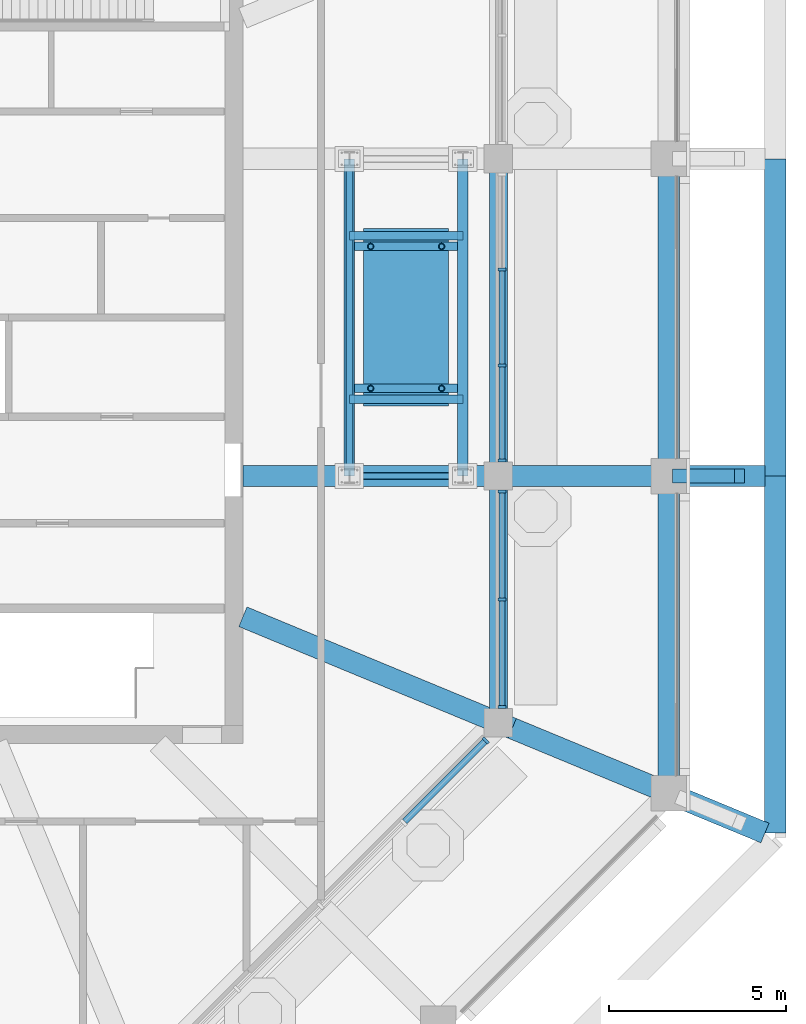
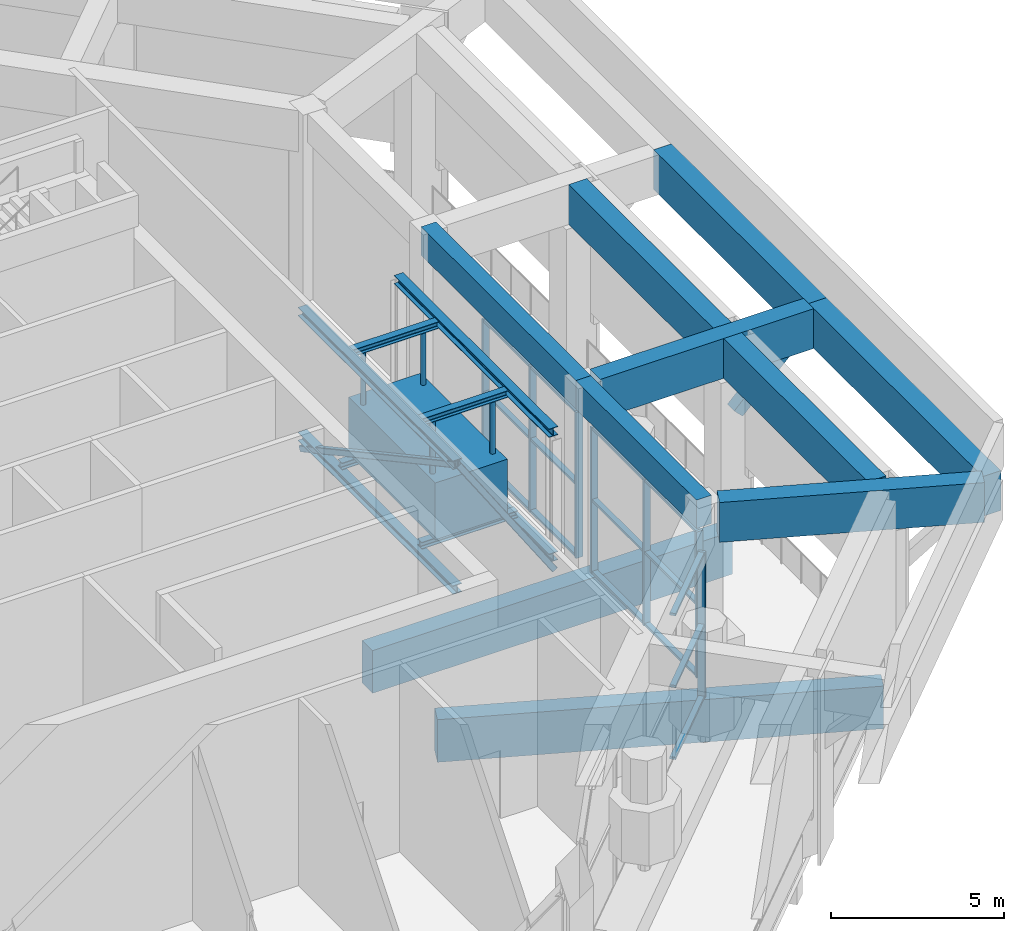
# One storey, part 8 of 29: 30 members, 18 beams, 3 elements without a shape of their own.
"""IFC4 building model written with IfcOpenShell, lengths in metres."""

from ifc_helpers import new_model, si_unit, direction, frame, origin, origin_2d, place, context, subcontext, project, spatial, rectangle, hollow_rectangle, hollow_circle, i_section, extrude, material, material_profile, profile_set, type_object, element, aggregate, save


model = new_model("IFC4")

# Units and contexts
model_context = context("Model", 3, precision=1e-05, world=origin(), true_north=direction((0.0, 1.0)))
body_context = subcontext(model_context, "Body", "Model", "MODEL_VIEW")
ifc_project = project(units=[si_unit("LENGTHUNIT", "METRE"), si_unit("AREAUNIT", "SQUARE_METRE"), si_unit("VOLUMEUNIT", "CUBIC_METRE"), si_unit("PLANEANGLEUNIT", "RADIAN"), si_unit("MASSUNIT", "GRAM", prefix="KILO")], contexts=[model_context])

# Site, building, storey
site_placement = place(None, origin())
site = spatial("IfcSite", under=ifc_project, at=site_placement, CompositionType="ELEMENT")
building_placement = place(site_placement, origin())
building = spatial("IfcBuilding", under=site, at=building_placement, Name="Msitu Wima Residences", CompositionType="ELEMENT")
storey_placement = place(building_placement, frame((0.0, 0.0, 320.10009765625)))
storey = spatial("IfcBuildingStorey", under=building, at=storey_placement, Name="L74", CompositionType="ELEMENT", Elevation=320.10009765625)

# Beams
ifc_material_1 = material(Name="Concrete C60/75", Category="concrete")
ifc_material_profile_1 = material_profile(ifc_material_1, rectangle(XDim=0.60009765625, YDim=1.39990234375, at=origin_2d()), Name="RC 600x1400")
ifc_profile_set_1 = profile_set([ifc_material_profile_1], Name="Concrete C60/75")
beam_type_1 = type_object("IfcBeamType", Name="Canopy cantilever beam CT600x1400", PredefinedType="BEAM", material=ifc_profile_set_1)
beam_1_placement = place(storey_placement, frame((21.989013671875, -11.578857421875, 5.89990234375), z_axis=(0.923884437241, -0.382671591087, 0.0), x_axis=(0.382671591087, 0.923884437241, 0.0)))
element("IfcBeam", 1, at=beam_1_placement, inside=storey, type_object=beam_type_1, Name="Canopy cantilever beam C-E0", PredefinedType="BEAM", context=body_context, shape_type="SweptSolid", body=[
    extrude(rectangle(XDim=0.60009765625, YDim=1.39990234375, at=origin_2d()), origin(), (0.0, 0.0, 1.0), 7.708740234375),
])
beam_2_placement = place(storey_placement, frame((21.988037109375, -4.46875, 5.89990234375), z_axis=(1.0, 0.0, 0.0), x_axis=(0.0, 1.0, 0.0)))
element("IfcBeam", 2, at=beam_2_placement, inside=storey, type_object=beam_type_1, Name="Canopy cantilever beam C-E1", PredefinedType="BEAM", context=body_context, shape_type="SweptSolid", body=[
    extrude(rectangle(XDim=0.60009765625, YDim=1.39990234375, at=origin_2d()), origin(), (0.0, 0.0, 1.0), 7.1240234375),
])

# Member
ifc_material_profile_2 = material_profile(ifc_material_1, rectangle(XDim=0.39990234375, YDim=0.39990234375, at=origin_2d()), Name="RC 400x400")
ifc_profile_set_2 = profile_set([ifc_material_profile_2], Name="Concrete C60/75")
member_type_1 = type_object("IfcMemberType", Name="Canopy knee strut KS400", PredefinedType="STRUT", material=ifc_profile_set_2)
member_1_placement = place(storey_placement, frame((26.64990234375, -4.46875, 3.699951171875), z_axis=(0.707106781187, 0.0, 0.707106781187), x_axis=(0.0, 1.0, 0.0)))
element("IfcMember", 3, at=member_1_placement, inside=storey, type_object=member_type_1, Name="Canopy knee strut C-E1", PredefinedType="STRUT", context=body_context, shape_type="SweptSolid", body=[
    extrude(rectangle(XDim=0.39990234375, YDim=0.39990234375, at=origin_2d()), origin(), (0.0, 0.0, 1.0), 2.474853515625),
])

# Beams
ifc_material_profile_3 = material_profile(ifc_material_1, rectangle(XDim=0.5, YDim=1.0, at=origin_2d()), Name="RC 500x1000")
ifc_profile_set_3 = profile_set([ifc_material_profile_3], Name="Concrete C60/75")
beam_type_2 = type_object("IfcBeamType", Name="Chamber ring beam CB500x1000", PredefinedType="BEAM", material=ifc_profile_set_3)
beam_3_placement = place(storey_placement, frame((21.60009765625, -11.417724609375, 6.099853515625), z_axis=(0.0, 1.0, 0.0), x_axis=(-1.0, 0.0, 0.0)))
element("IfcBeam", 4, at=beam_3_placement, inside=storey, type_object=beam_type_2, Name="Chamber ring beam CH0", PredefinedType="BEAM", context=body_context, shape_type="SweptSolid", body=[
    extrude(rectangle(XDim=0.5, YDim=1.0, at=origin_2d()), origin(), (0.0, 0.0, 1.0), 6.948974609375),
])
beam_4_placement = place(storey_placement, frame((21.60009765625, -4.46875, 6.099853515625), z_axis=(0.0, 1.0, 0.0), x_axis=(-1.0, 0.0, 0.0)))
element("IfcBeam", 5, at=beam_4_placement, inside=storey, type_object=beam_type_2, Name="Chamber ring beam CH1", PredefinedType="BEAM", context=body_context, shape_type="SweptSolid", body=[
    extrude(rectangle(XDim=0.5, YDim=1.0, at=origin_2d()), origin(), (0.0, 0.0, 1.0), 8.9375),
])

# Members
ifc_material_2 = material(Name="Steel S355", Category="steel")
ifc_material_profile_4 = material_profile(ifc_material_2, hollow_circle(Radius=0.084228515625, WallThickness=0.010009765625, at=origin_2d()), Name="CHS 168.3x10")
ifc_profile_set_4 = profile_set([ifc_material_profile_4], Name="Steel S355")
member_type_2 = type_object("IfcMemberType", Name="Damper frame CHS 168.3x10", PredefinedType="MEMBER", material=ifc_profile_set_4)
for number, where, z_axis, x_axis, name in (
    (6, (20.0, -2.0, 3.039794921875), (0.0, 0.0, 1.0), (1.0, 0.0, 0.0), "Damper hanger E1"),
    (7, (20.0, 2.0, 3.039794921875), (0.0, 0.0, 1.0), (1.0, 0.0, 0.0), "Damper hanger E2"),
    (8, (18.0, -2.0, 3.039794921875), (0.0, 0.0, 1.0), (1.0, 0.0, 0.0), "Damper hanger E3"),
    (9, (18.0, 2.0, 3.039794921875), (0.0, 0.0, 1.0), (1.0, 0.0, 0.0), "Damper hanger E4"),
):
    element("IfcMember", number, at=place(storey_placement, frame(where, z_axis=z_axis, x_axis=x_axis)), inside=storey, type_object=member_type_2, Name=name, PredefinedType="MEMBER", context=body_context, shape_type="SweptSolid", body=[
        extrude(hollow_circle(Radius=0.084228515625, WallThickness=0.010009765625, at=origin_2d()), origin(), (0.0, 0.0, 1.0), 1.860107421875),
    ])

# Beams
ifc_material_profile_5 = material_profile(ifc_material_2, i_section(OverallWidth=0.239990234375, OverallDepth=0.239990234375, WebThickness=0.010009765625, FlangeThickness=0.01708984375, FilletRadius=0.02099609375, at=origin_2d()), Name="HEB 240")
ifc_profile_set_5 = profile_set([ifc_material_profile_5], Name="Steel S355")
beam_type_3 = type_object("IfcBeamType", Name="Damper frame HEB 240", PredefinedType="BEAM", material=ifc_profile_set_5)
for number, where, z_axis, x_axis, name in (
    (10, (17.39990234375, -2.300048828125, 0.919921875), (1.0, 0.0, 0.0), (0.0, 1.0, 0.0), "Damper frame mass bearer E1"),
    (11, (17.39990234375, 2.300048828125, 0.919921875), (1.0, 0.0, 0.0), (0.0, 1.0, 0.0), "Damper frame mass bearer E2"),
):
    element("IfcBeam", number, at=place(storey_placement, frame(where, z_axis=z_axis, x_axis=x_axis)), inside=storey, type_object=beam_type_3, Name=name, PredefinedType="BEAM", context=body_context, shape_type="SweptSolid", body=[
        extrude(i_section(OverallWidth=0.239990234375, OverallDepth=0.239990234375, WebThickness=0.010009765625, FlangeThickness=0.01708984375, FilletRadius=0.02099609375, at=origin_2d()), origin(), (0.0, 0.0, 1.0), 3.2001953125),
    ])
for number, where, z_axis, x_axis, name in (
    (12, (17.550048828125, -2.0, 5.02001953125), (1.0, 0.0, 0.0), (0.0, 1.0, 0.0), "Damper frame cross girder E1"),
    (13, (17.550048828125, 2.0, 5.02001953125), (1.0, 0.0, 0.0), (0.0, 1.0, 0.0), "Damper frame cross girder E2"),
):
    element("IfcBeam", number, at=place(storey_placement, frame(where, z_axis=z_axis, x_axis=x_axis)), inside=storey, type_object=beam_type_3, Name=name, PredefinedType="BEAM", context=body_context, shape_type="SweptSolid", body=[
        extrude(i_section(OverallWidth=0.239990234375, OverallDepth=0.239990234375, WebThickness=0.010009765625, FlangeThickness=0.01708984375, FilletRadius=0.02099609375, at=origin_2d()), origin(), (0.0, 0.0, 1.0), 2.89990234375),
    ])
ifc_material_profile_6 = material_profile(ifc_material_2, i_section(OverallWidth=0.300048828125, OverallDepth=0.300048828125, WebThickness=0.010986328125, FlangeThickness=0.01904296875, FilletRadius=0.027099609375, at=origin_2d()), Name="HEB 300")
ifc_profile_set_6 = profile_set([ifc_material_profile_6], Name="Steel S355")
beam_type_4 = type_object("IfcBeamType", Name="Damper frame HEB 300", PredefinedType="BEAM", material=ifc_profile_set_6)
for number, where, z_axis, x_axis, name in (
    (14, (17.39990234375, -4.46875, 5.0498046875), (0.0, 1.0, 0.0), (-1.0, 0.0, 0.0), "Damper frame girder E1"),
    (15, (20.60009765625, -4.46875, 5.0498046875), (0.0, 1.0, 0.0), (-1.0, 0.0, 0.0), "Damper frame girder E2"),
    (16, (17.39990234375, -4.46875, 0.64990234375), (0.0, 1.0, 0.0), (-1.0, 0.0, 0.0), "Damper frame lower girder E1"),
    (17, (20.60009765625, -4.46875, 0.64990234375), (0.0, 1.0, 0.0), (-1.0, 0.0, 0.0), "Damper frame lower girder E2"),
):
    element("IfcBeam", number, at=place(storey_placement, frame(where, z_axis=z_axis, x_axis=x_axis)), inside=storey, type_object=beam_type_4, Name=name, PredefinedType="BEAM", context=body_context, shape_type="SweptSolid", body=[
        extrude(i_section(OverallWidth=0.300048828125, OverallDepth=0.300048828125, WebThickness=0.010986328125, FlangeThickness=0.01904296875, FilletRadius=0.027099609375, at=origin_2d()), origin(), (0.0, 0.0, 1.0), 8.9375),
    ])

# Members
ifc_material_profile_7 = material_profile(ifc_material_2, hollow_rectangle(XDim=0.199951171875, YDim=0.199951171875, WallThickness=0.012451171875, InnerFilletRadius=0.012451171875, OuterFilletRadius=0.02490234375, at=origin_2d()), Name="SHS 200x200x12.5")
ifc_profile_set_7 = profile_set([ifc_material_profile_7], Name="Steel S355")
member_type_3 = type_object("IfcMemberType", Name="Damper frame SHS 200x200x12.5", PredefinedType="BRACE", material=ifc_profile_set_7)
member_2_placement = place(storey_placement, frame((17.39990234375, 4.46875, 0.19482421875), z_axis=(0.0, -0.878721696521, 0.477334453044), x_axis=(1.0, 0.0, 0.0)))
element("IfcMember", 18, at=member_2_placement, inside=storey, type_object=member_type_3, Name="Damper frame brace E1", PredefinedType="BRACE", context=body_context, shape_type="SweptSolid", body=[
    extrude(hollow_rectangle(XDim=0.199951171875, YDim=0.199951171875, WallThickness=0.012451171875, InnerFilletRadius=0.012451171875, OuterFilletRadius=0.02490234375, at=origin_2d()), origin(), (0.0, 0.0, 1.0), 10.171142578125),
])
member_3_placement = place(storey_placement, frame((20.60009765625, -4.46875, 0.2548828125), z_axis=(-0.555130142442, 0.0, 0.831763503018), x_axis=(0.0, -1.0, 0.0)))
element("IfcMember", 19, at=member_3_placement, inside=storey, type_object=member_type_3, Name="Damper frame brace E2", PredefinedType="BRACE", context=body_context, shape_type="SweptSolid", body=[
    extrude(hollow_rectangle(XDim=0.199951171875, YDim=0.199951171875, WallThickness=0.012451171875, InnerFilletRadius=0.012451171875, OuterFilletRadius=0.02490234375, at=origin_2d()), origin(), (0.0, 0.0, 1.0), 5.7646484375),
])

# Beams
ifc_material_profile_8 = material_profile(ifc_material_1, rectangle(XDim=0.60009765625, YDim=1.5, at=origin_2d()), Name="RC 600x1500")
ifc_profile_set_8 = profile_set([ifc_material_profile_8], Name="Concrete C60/75")
beam_type_5 = type_object("IfcBeamType", Name="Deck girder DG600x1500", PredefinedType="BEAM", material=ifc_profile_set_8)
beam_5_placement = place(storey_placement, frame((26.39990234375, -13.406005859375, -1.050048828125), z_axis=(-0.923875711423, 0.382692657157, 0.0), x_axis=(-0.382692657157, -0.923875711423, 0.0)))
element("IfcBeam", 20, at=beam_5_placement, inside=storey, type_object=beam_type_5, Name="Deck girder C-E0", PredefinedType="BEAM", context=body_context, shape_type="SweptSolid", body=[
    extrude(rectangle(XDim=0.60009765625, YDim=1.5, at=origin_2d()), origin(), (0.0, 0.0, 1.0), 12.98876953125),
])
beam_6_placement = place(storey_placement, frame((26.39990234375, -4.46875, -1.050048828125), z_axis=(-1.0, 0.0, 0.0), x_axis=(0.0, -1.0, 0.0)))
element("IfcBeam", 21, at=beam_6_placement, inside=storey, type_object=beam_type_5, Name="Deck girder C-E1", PredefinedType="BEAM", context=body_context, shape_type="SweptSolid", body=[
    extrude(rectangle(XDim=0.60009765625, YDim=1.5, at=origin_2d()), origin(), (0.0, 0.0, 1.0), 12.0),
])
ifc_material_profile_9 = material_profile(ifc_material_1, rectangle(XDim=0.60009765625, YDim=1.39990234375, at=origin_2d()), Name="RC 600x1400")
ifc_profile_set_9 = profile_set([ifc_material_profile_9], Name="Concrete C60/75")
beam_type_6 = type_object("IfcBeamType", Name="Fascia beam FB600x1400", PredefinedType="BEAM", material=ifc_profile_set_9)
beam_7_placement = place(storey_placement, frame((26.39990234375, -13.09326171875, 5.89990234375), z_axis=(0.0, 1.0, 0.0), x_axis=(-1.0, 0.0, 0.0)))
element("IfcBeam", 22, at=beam_7_placement, inside=storey, type_object=beam_type_6, Name="Canopy fascia beam C-E0", PredefinedType="BEAM", context=body_context, shape_type="SweptSolid", body=[
    extrude(rectangle(XDim=0.60009765625, YDim=1.39990234375, at=origin_2d()), origin(), (0.0, 0.0, 1.0), 8.336669921875),
])
beam_8_placement = place(storey_placement, frame((26.39990234375, -4.1806640625, 5.89990234375), z_axis=(0.0, 1.0, 0.0), x_axis=(-1.0, 0.0, 0.0)))
element("IfcBeam", 23, at=beam_8_placement, inside=storey, type_object=beam_type_6, Name="Canopy fascia beam C-E1", PredefinedType="BEAM", context=body_context, shape_type="SweptSolid", body=[
    extrude(rectangle(XDim=0.60009765625, YDim=1.39990234375, at=origin_2d()), origin(), (0.0, 0.0, 1.0), 8.361328125),
])
beam_9_placement = place(storey_placement, frame((29.39990234375, -14.524169921875, 5.89990234375), z_axis=(0.0, 1.0, 0.0), x_axis=(-1.0, 0.0, 0.0)))
element("IfcBeam", 24, at=beam_9_placement, inside=storey, type_object=beam_type_6, Name="Canopy edge fascia beam C-E0", PredefinedType="BEAM", context=body_context, shape_type="SweptSolid", body=[
    extrude(rectangle(XDim=0.60009765625, YDim=1.39990234375, at=origin_2d()), origin(), (0.0, 0.0, 1.0), 10.055419921875),
])
beam_10_placement = place(storey_placement, frame((29.39990234375, -4.46875, 5.89990234375), z_axis=(0.0, 1.0, 0.0), x_axis=(-1.0, 0.0, 0.0)))
element("IfcBeam", 25, at=beam_10_placement, inside=storey, type_object=beam_type_6, Name="Canopy edge fascia beam C-E1", PredefinedType="BEAM", context=body_context, shape_type="SweptSolid", body=[
    extrude(rectangle(XDim=0.60009765625, YDim=1.39990234375, at=origin_2d()), origin(), (0.0, 0.0, 1.0), 8.9375),
])

# Curtain wall, members
ifc_material_3 = material(Name="Anodised aluminium, bronze finish, clear laminated double glazing", Category="aluminium")
curtain_wall_type = type_object("IfcCurtainWallType", Name="Curtain wall CW4 damper chamber wall", PredefinedType="NOTDEFINED", material=ifc_material_3)
curtain_wall_1_placement = place(storey_placement, origin())
curtain_wall_1 = element("IfcCurtainWall", 26, at=curtain_wall_1_placement, inside=storey, type_object=curtain_wall_type, Name="Curtain wall CW4 L74 CH-0a0", PredefinedType="NOTDEFINED")
ifc_material_4 = material(Name="Anodised aluminium, bronze finish", Category="aluminium")
ifc_material_profile_10 = material_profile(ifc_material_4, rectangle(XDim=0.219970703125, YDim=0.0849609375, at=origin_2d()), Name="Mullion 85x220")
ifc_profile_set_10 = profile_set([ifc_material_profile_10], Name="Anodised aluminium, bronze finish")
member_type_4 = type_object("IfcMemberType", Name="Mullion CW4 85x220", PredefinedType="MULLION", material=ifc_profile_set_10)
member_4_placement = place(storey_placement, frame((21.699951171875, -10.97509765625, 0.0), z_axis=(0.0, 0.0, 1.0), x_axis=(-1.0, 0.0, 0.0)))
member_4 = element("IfcMember", 27, at=member_4_placement, type_object=member_type_4, Name="CW4 mullion 1", PredefinedType="MULLION", context=body_context, shape_type="SweptSolid", body=[
    extrude(rectangle(XDim=0.219970703125, YDim=0.0849609375, at=origin_2d()), origin(), (0.0, 0.0, 1.0), 5.14990234375),
])
member_5_placement = place(storey_placement, frame((21.699951171875, -7.943115234375, 0.0), z_axis=(0.0, 0.0, 1.0), x_axis=(-1.0, 0.0, 0.0)))
member_5 = element("IfcMember", 28, at=member_5_placement, type_object=member_type_4, Name="CW4 mullion 2", PredefinedType="MULLION", context=body_context, shape_type="SweptSolid", body=[
    extrude(rectangle(XDim=0.219970703125, YDim=0.0849609375, at=origin_2d()), origin(), (0.0, 0.0, 1.0), 5.14990234375),
])
member_6_placement = place(storey_placement, frame((21.699951171875, -4.9111328125, 0.0), z_axis=(0.0, 0.0, 1.0), x_axis=(-1.0, 0.0, 0.0)))
member_6 = element("IfcMember", 29, at=member_6_placement, type_object=member_type_4, Name="CW4 mullion 3", PredefinedType="MULLION", context=body_context, shape_type="SweptSolid", body=[
    extrude(rectangle(XDim=0.219970703125, YDim=0.0849609375, at=origin_2d()), origin(), (0.0, 0.0, 1.0), 5.14990234375),
])

curtain_wall_2_placement = place(storey_placement, origin())
curtain_wall_2 = element("IfcCurtainWall", 30, at=curtain_wall_2_placement, inside=storey, type_object=curtain_wall_type, Name="Curtain wall CW4 L74 CH-0b0", PredefinedType="NOTDEFINED")
member_7_placement = place(storey_placement, frame((21.699951171875, -4.026123046875, 0.0), z_axis=(0.0, 0.0, 1.0), x_axis=(-1.0, 0.0, 0.0)))
member_7 = element("IfcMember", 31, at=member_7_placement, type_object=member_type_4, Name="CW4 mullion 1", PredefinedType="MULLION", context=body_context, shape_type="SweptSolid", body=[
    extrude(rectangle(XDim=0.219970703125, YDim=0.0849609375, at=origin_2d()), origin(), (0.0, 0.0, 1.0), 5.14990234375),
])
member_8_placement = place(storey_placement, frame((21.699951171875, -1.356201171875, 0.0), z_axis=(0.0, 0.0, 1.0), x_axis=(-1.0, 0.0, 0.0)))
member_8 = element("IfcMember", 32, at=member_8_placement, type_object=member_type_4, Name="CW4 mullion 2", PredefinedType="MULLION", context=body_context, shape_type="SweptSolid", body=[
    extrude(rectangle(XDim=0.219970703125, YDim=0.0849609375, at=origin_2d()), origin(), (0.0, 0.0, 1.0), 5.14990234375),
])
member_9_placement = place(storey_placement, frame((21.699951171875, 1.356201171875, 0.0), z_axis=(0.0, 0.0, 1.0), x_axis=(-1.0, 0.0, 0.0)))
member_9 = element("IfcMember", 33, at=member_9_placement, type_object=member_type_4, Name="CW4 mullion 3", PredefinedType="MULLION", context=body_context, shape_type="SweptSolid", body=[
    extrude(rectangle(XDim=0.219970703125, YDim=0.0849609375, at=origin_2d()), origin(), (0.0, 0.0, 1.0), 5.14990234375),
])

# Curtain wall, member
curtain_wall_3_placement = place(storey_placement, origin())
curtain_wall_3 = element("IfcCurtainWall", 34, at=curtain_wall_3_placement, inside=storey, type_object=curtain_wall_type, Name="Curtain wall CW4 L74 CH-7a0", PredefinedType="NOTDEFINED")
member_10_placement = place(storey_placement, frame((21.24072265625, -11.91845703125, 0.0), z_axis=(0.0, 0.0, 1.0), x_axis=(-0.707106781187, 0.707106781187, 0.0)))
member_10 = element("IfcMember", 35, at=member_10_placement, type_object=member_type_4, Name="CW4 mullion 5", PredefinedType="MULLION", context=body_context, shape_type="SweptSolid", body=[
    extrude(rectangle(XDim=0.219970703125, YDim=0.0849609375, at=origin_2d()), origin(), (0.0, 0.0, 1.0), 5.14990234375),
])

# Member
ifc_material_profile_11 = material_profile(ifc_material_4, rectangle(XDim=0.179931640625, YDim=0.0849609375, at=origin_2d()), Name="Transom 85x180")
ifc_profile_set_11 = profile_set([ifc_material_profile_11], Name="Anodised aluminium, bronze finish")
member_type_5 = type_object("IfcMemberType", Name="Transom CW4 85x180", PredefinedType="USERDEFINED", material=ifc_profile_set_11)
member_11_placement = place(storey_placement, frame((21.699951171875, -10.9326171875, 0.04248046875), z_axis=(0.0, 1.0, 0.0), x_axis=(-1.0, 0.0, 0.0)))
member_11 = element("IfcMember", 36, at=member_11_placement, type_object=member_type_5, Name="CW4 transom 1.1", ObjectType="TRANSOM", PredefinedType="USERDEFINED", context=body_context, shape_type="SweptSolid", body=[
    extrude(rectangle(XDim=0.179931640625, YDim=0.0849609375, at=origin_2d()), origin(), (0.0, 0.0, 1.0), 2.947021484375),
])

member_12_placement = place(storey_placement, frame((21.699951171875, -10.9326171875, 2.574951171875), z_axis=(0.0, 1.0, 0.0), x_axis=(-1.0, 0.0, 0.0)))
member_12 = element("IfcMember", 37, at=member_12_placement, type_object=member_type_5, Name="CW4 transom 1.2", ObjectType="TRANSOM", PredefinedType="USERDEFINED", context=body_context, shape_type="SweptSolid", body=[
    extrude(rectangle(XDim=0.179931640625, YDim=0.0849609375, at=origin_2d()), origin(), (0.0, 0.0, 1.0), 2.947021484375),
])

member_13_placement = place(storey_placement, frame((21.699951171875, -10.9326171875, 5.107421875), z_axis=(0.0, 1.0, 0.0), x_axis=(-1.0, 0.0, 0.0)))
member_13 = element("IfcMember", 38, at=member_13_placement, type_object=member_type_5, Name="CW4 transom 1.3", ObjectType="TRANSOM", PredefinedType="USERDEFINED", context=body_context, shape_type="SweptSolid", body=[
    extrude(rectangle(XDim=0.179931640625, YDim=0.0849609375, at=origin_2d()), origin(), (0.0, 0.0, 1.0), 2.947021484375),
])

member_14_placement = place(storey_placement, frame((21.699951171875, -7.900634765625, 0.04248046875), z_axis=(0.0, 1.0, 0.0), x_axis=(-1.0, 0.0, 0.0)))
member_14 = element("IfcMember", 39, at=member_14_placement, type_object=member_type_5, Name="CW4 transom 2.1", ObjectType="TRANSOM", PredefinedType="USERDEFINED", context=body_context, shape_type="SweptSolid", body=[
    extrude(rectangle(XDim=0.179931640625, YDim=0.0849609375, at=origin_2d()), origin(), (0.0, 0.0, 1.0), 2.947021484375),
])

member_15_placement = place(storey_placement, frame((21.699951171875, -7.900634765625, 2.574951171875), z_axis=(0.0, 1.0, 0.0), x_axis=(-1.0, 0.0, 0.0)))
member_15 = element("IfcMember", 40, at=member_15_placement, type_object=member_type_5, Name="CW4 transom 2.2", ObjectType="TRANSOM", PredefinedType="USERDEFINED", context=body_context, shape_type="SweptSolid", body=[
    extrude(rectangle(XDim=0.179931640625, YDim=0.0849609375, at=origin_2d()), origin(), (0.0, 0.0, 1.0), 2.947021484375),
])

member_16_placement = place(storey_placement, frame((21.699951171875, -7.900634765625, 5.107421875), z_axis=(0.0, 1.0, 0.0), x_axis=(-1.0, 0.0, 0.0)))
member_16 = element("IfcMember", 41, at=member_16_placement, type_object=member_type_5, Name="CW4 transom 2.3", ObjectType="TRANSOM", PredefinedType="USERDEFINED", context=body_context, shape_type="SweptSolid", body=[
    extrude(rectangle(XDim=0.179931640625, YDim=0.0849609375, at=origin_2d()), origin(), (0.0, 0.0, 1.0), 2.947021484375),
])

aggregate(curtain_wall_1, [member_4, member_5, member_6, member_11, member_12, member_13, member_14, member_15, member_16])

member_17_placement = place(storey_placement, frame((21.699951171875, -3.983642578125, 0.04248046875), z_axis=(0.0, 1.0, 0.0), x_axis=(-1.0, 0.0, 0.0)))
member_17 = element("IfcMember", 42, at=member_17_placement, type_object=member_type_5, Name="CW4 transom 1.1", ObjectType="TRANSOM", PredefinedType="USERDEFINED", context=body_context, shape_type="SweptSolid", body=[
    extrude(rectangle(XDim=0.179931640625, YDim=0.0849609375, at=origin_2d()), origin(), (0.0, 0.0, 1.0), 2.5849609375),
])

member_18_placement = place(storey_placement, frame((21.699951171875, -3.983642578125, 2.574951171875), z_axis=(0.0, 1.0, 0.0), x_axis=(-1.0, 0.0, 0.0)))
member_18 = element("IfcMember", 43, at=member_18_placement, type_object=member_type_5, Name="CW4 transom 1.2", ObjectType="TRANSOM", PredefinedType="USERDEFINED", context=body_context, shape_type="SweptSolid", body=[
    extrude(rectangle(XDim=0.179931640625, YDim=0.0849609375, at=origin_2d()), origin(), (0.0, 0.0, 1.0), 2.5849609375),
])

member_19_placement = place(storey_placement, frame((21.699951171875, -3.983642578125, 5.107421875), z_axis=(0.0, 1.0, 0.0), x_axis=(-1.0, 0.0, 0.0)))
member_19 = element("IfcMember", 44, at=member_19_placement, type_object=member_type_5, Name="CW4 transom 1.3", ObjectType="TRANSOM", PredefinedType="USERDEFINED", context=body_context, shape_type="SweptSolid", body=[
    extrude(rectangle(XDim=0.179931640625, YDim=0.0849609375, at=origin_2d()), origin(), (0.0, 0.0, 1.0), 2.5849609375),
])

member_20_placement = place(storey_placement, frame((21.699951171875, -1.313720703125, 0.04248046875), z_axis=(0.0, 1.0, 0.0), x_axis=(-1.0, 0.0, 0.0)))
member_20 = element("IfcMember", 45, at=member_20_placement, type_object=member_type_5, Name="CW4 transom 2.1", ObjectType="TRANSOM", PredefinedType="USERDEFINED", context=body_context, shape_type="SweptSolid", body=[
    extrude(rectangle(XDim=0.179931640625, YDim=0.0849609375, at=origin_2d()), origin(), (0.0, 0.0, 1.0), 2.62744140625),
])

member_21_placement = place(storey_placement, frame((21.699951171875, -1.313720703125, 2.574951171875), z_axis=(0.0, 1.0, 0.0), x_axis=(-1.0, 0.0, 0.0)))
member_21 = element("IfcMember", 46, at=member_21_placement, type_object=member_type_5, Name="CW4 transom 2.2", ObjectType="TRANSOM", PredefinedType="USERDEFINED", context=body_context, shape_type="SweptSolid", body=[
    extrude(rectangle(XDim=0.179931640625, YDim=0.0849609375, at=origin_2d()), origin(), (0.0, 0.0, 1.0), 2.62744140625),
])

member_22_placement = place(storey_placement, frame((21.699951171875, -1.313720703125, 5.107421875), z_axis=(0.0, 1.0, 0.0), x_axis=(-1.0, 0.0, 0.0)))
member_22 = element("IfcMember", 47, at=member_22_placement, type_object=member_type_5, Name="CW4 transom 2.3", ObjectType="TRANSOM", PredefinedType="USERDEFINED", context=body_context, shape_type="SweptSolid", body=[
    extrude(rectangle(XDim=0.179931640625, YDim=0.0849609375, at=origin_2d()), origin(), (0.0, 0.0, 1.0), 2.62744140625),
])

aggregate(curtain_wall_2, [member_7, member_8, member_9, member_17, member_18, member_19, member_20, member_21, member_22])

member_23_placement = place(storey_placement, frame((18.955078125, -14.203857421875, 0.04248046875), z_axis=(0.707145049717, 0.707068510584, 0.0), x_axis=(-0.707068510584, 0.707145049717, 0.0)))
member_23 = element("IfcMember", 48, at=member_23_placement, type_object=member_type_5, Name="CW4 transom 4.1", ObjectType="TRANSOM", PredefinedType="USERDEFINED", context=body_context, shape_type="SweptSolid", body=[
    extrude(rectangle(XDim=0.179931640625, YDim=0.0849609375, at=origin_2d()), origin(), (0.0, 0.0, 1.0), 3.189697265625),
])

member_24_placement = place(storey_placement, frame((18.955078125, -14.203857421875, 2.574951171875), z_axis=(0.707145049717, 0.707068510584, 0.0), x_axis=(-0.707068510584, 0.707145049717, 0.0)))
member_24 = element("IfcMember", 49, at=member_24_placement, type_object=member_type_5, Name="CW4 transom 4.2", ObjectType="TRANSOM", PredefinedType="USERDEFINED", context=body_context, shape_type="SweptSolid", body=[
    extrude(rectangle(XDim=0.179931640625, YDim=0.0849609375, at=origin_2d()), origin(), (0.0, 0.0, 1.0), 3.189697265625),
])

member_25_placement = place(storey_placement, frame((18.955078125, -14.203857421875, 5.107421875), z_axis=(0.707145049717, 0.707068510584, 0.0), x_axis=(-0.707068510584, 0.707145049717, 0.0)))
member_25 = element("IfcMember", 50, at=member_25_placement, type_object=member_type_5, Name="CW4 transom 4.3", ObjectType="TRANSOM", PredefinedType="USERDEFINED", context=body_context, shape_type="SweptSolid", body=[
    extrude(rectangle(XDim=0.179931640625, YDim=0.0849609375, at=origin_2d()), origin(), (0.0, 0.0, 1.0), 3.189697265625),
])

aggregate(curtain_wall_3, [member_10, member_23, member_24, member_25])

member_type_6 = type_object("IfcMemberType", Name="Tuned mass TM1", PredefinedType="MEMBER", material=ifc_material_2)
member_26_placement = place(storey_placement, frame((19.0, 0.0, 1.039794921875), z_axis=(0.0, 0.0, 1.0), x_axis=(1.0, 0.0, 0.0)))
element("IfcMember", 51, at=member_26_placement, inside=storey, type_object=member_type_6, Name="Tuned mass E", PredefinedType="MEMBER", context=body_context, shape_type="SweptSolid", body=[
    extrude(rectangle(XDim=2.39990234375, YDim=5.0, at=origin_2d()), origin(), (0.0, 0.0, 1.0), 2.0),
])

save(model, "model.ifc")
